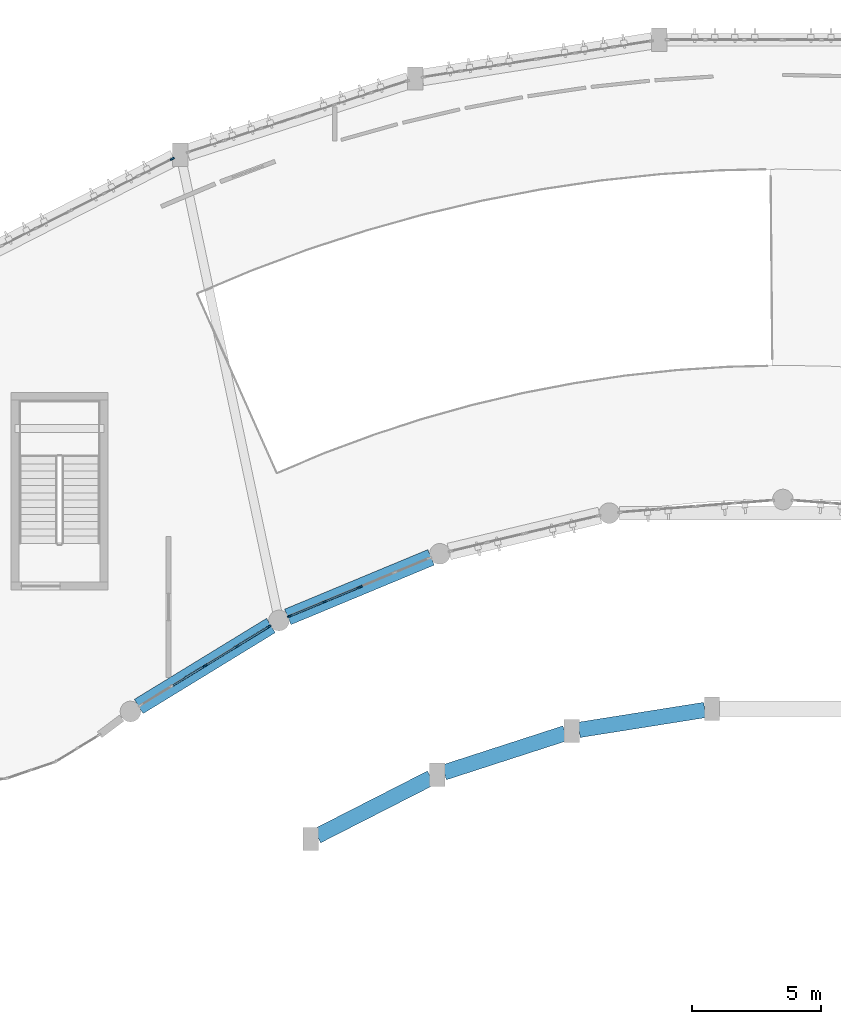
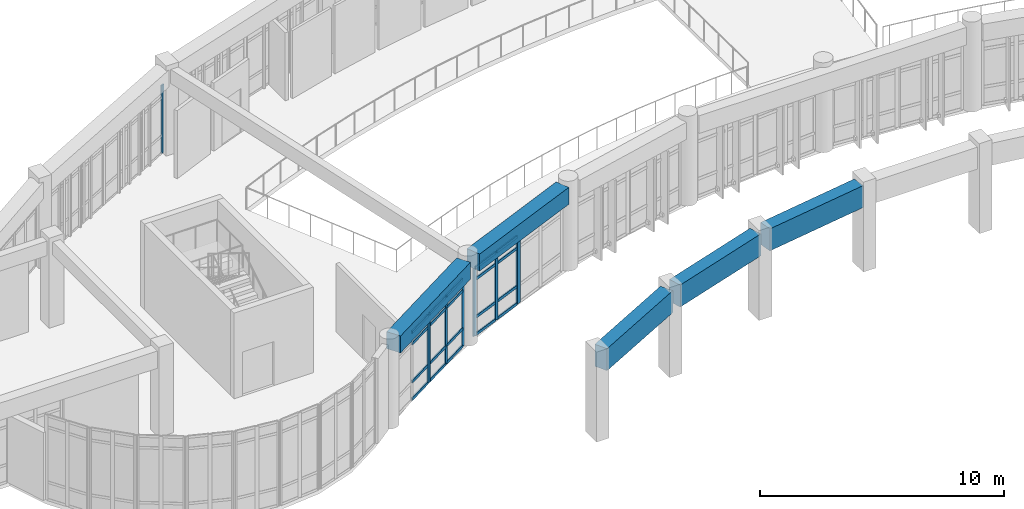
# One storey, part 12 of 57: 29 members, 5 beams, 5 elements without a shape of their own.
"""IFC4 building model written with IfcOpenShell, lengths in metres."""

from ifc_helpers import new_model, si_unit, direction, frame, origin, origin_2d, place, context, subcontext, project, spatial, rectangle, extrude, material, layer, layer_set, material_profile, profile_set, type_object, element, aggregate, save


model = new_model("IFC4")

# Units and contexts
model_context = context("Model", 3, precision=1e-05, world=origin(), true_north=direction((0.0, 1.0)))
body_context = subcontext(model_context, "Body", "Model", "MODEL_VIEW")
ifc_project = project(units=[si_unit("LENGTHUNIT", "METRE"), si_unit("AREAUNIT", "SQUARE_METRE"), si_unit("VOLUMEUNIT", "CUBIC_METRE"), si_unit("PLANEANGLEUNIT", "RADIAN"), si_unit("MASSUNIT", "GRAM", prefix="KILO")], contexts=[model_context])

# Site, building, storey
site_placement = place(None, origin())
site = spatial("IfcSite", under=ifc_project, at=site_placement, CompositionType="ELEMENT")
building_placement = place(site_placement, origin())
building = spatial("IfcBuilding", under=site, at=building_placement, Name="Miralva Faculty of Natural Sciences", CompositionType="ELEMENT")
storey_placement = place(building_placement, frame((0.0, 0.0, 15.0)))
storey = spatial("IfcBuildingStorey", under=building, at=storey_placement, Name="L03", CompositionType="ELEMENT", Elevation=15.0)

# Beams
ifc_material_1 = material(Name="Concrete C40/50", Category="concrete")
ifc_material_profile_1 = material_profile(ifc_material_1, rectangle(XDim=0.64990234375, YDim=0.85009765625, at=origin_2d()), Name="RC 650x850")
ifc_profile_set_1 = profile_set([ifc_material_profile_1], Name="Concrete C40/50")
beam_type_1 = type_object("IfcBeamType", Name="BM-SP03", PredefinedType="SPANDREL", material=ifc_profile_set_1)
beam_1_placement = place(storey_placement, frame((76.3701171875, 19.7587890625, 3.8349609375), z_axis=(-0.923386658192, -0.383871175621, 0.0), x_axis=(0.383871175621, -0.923386658192, 0.0)))
element("IfcBeam", 1, at=beam_1_placement, inside=storey, type_object=beam_type_1, Name="Curved chord girder ARCIN L03-7", PredefinedType="SPANDREL", context=body_context, shape_type="SweptSolid", body=[
    extrude(rectangle(XDim=0.64990234375, YDim=0.85009765625, at=origin_2d()), origin(), (0.0, 0.0, 1.0), 6.0107421875),
])
beam_2_placement = place(storey_placement, frame((70.166015625, 17.117919921875, 3.8349609375), z_axis=(-0.85286755932, -0.52212730848, 0.0), x_axis=(0.52212730848, -0.85286755932, 0.0)))
element("IfcBeam", 2, at=beam_2_placement, inside=storey, type_object=beam_type_1, Name="Curved chord girder ARCIN L03-8", PredefinedType="SPANDREL", context=body_context, shape_type="SweptSolid", body=[
    extrude(rectangle(XDim=0.64990234375, YDim=0.85009765625, at=origin_2d()), origin(), (0.0, 0.0, 1.0), 6.005615234375),
])
ifc_material_profile_2 = material_profile(ifc_material_1, rectangle(XDim=0.60009765625, YDim=1.10009765625, at=origin_2d()), Name="RC 600x1100")
ifc_profile_set_2 = profile_set([ifc_material_profile_2], Name="Concrete C40/50")
beam_type_2 = type_object("IfcBeamType", Name="BM-TG01", PredefinedType="BEAM", material=ifc_profile_set_2)
beam_3_placement = place(storey_placement, frame((86.977294921875, 13.8466796875, 3.699951171875), z_axis=(-0.987645980672, -0.156701681112, 0.0), x_axis=(0.156701681112, -0.987645980672, 0.0)))
element("IfcBeam", 3, at=beam_3_placement, inside=storey, type_object=beam_type_2, Name="Curved chord girder SHIN L03-5", PredefinedType="BEAM", context=body_context, shape_type="SweptSolid", body=[
    extrude(rectangle(XDim=0.60009765625, YDim=1.10009765625, at=origin_2d()), origin(), (0.0, 0.0, 1.0), 4.935791015625),
])
beam_4_placement = place(storey_placement, frame((81.5673828125, 12.945068359375, 3.699951171875), z_axis=(-0.951378867788, -0.308023132129, 0.0), x_axis=(0.308023132129, -0.951378867788, 0.0)))
element("IfcBeam", 4, at=beam_4_placement, inside=storey, type_object=beam_type_2, Name="Curved chord girder SHIN L03-6", PredefinedType="BEAM", context=body_context, shape_type="SweptSolid", body=[
    extrude(rectangle(XDim=0.60009765625, YDim=1.10009765625, at=origin_2d()), origin(), (0.0, 0.0, 1.0), 4.934814453125),
])
beam_5_placement = place(storey_placement, frame((76.364013671875, 11.214599609375, 3.699951171875), z_axis=(-0.890746789072, -0.454499898523, 0.0), x_axis=(0.454499898523, -0.890746789072, 0.0)))
element("IfcBeam", 5, at=beam_5_placement, inside=storey, type_object=beam_type_2, Name="Curved chord girder SHIN L03-7", PredefinedType="BEAM", context=body_context, shape_type="SweptSolid", body=[
    extrude(rectangle(XDim=0.60009765625, YDim=1.10009765625, at=origin_2d()), origin(), (0.0, 0.0, 1.0), 4.948974609375),
])

# Curtain wall, member
ifc_material_2 = material(Name="Laminated solar-control glass", Category="glass")
ifc_layer = layer(ifc_material_2, 0.179931640625, Name="CW-ARC-L03")
ifc_layer_set = layer_set([ifc_layer], Name="Laminated solar-control glass")
curtain_wall_type = type_object("IfcCurtainWallType", Name="CW-ARC-L03", PredefinedType="USERDEFINED", material=ifc_layer_set)
curtain_wall_1_placement = place(storey_placement, origin())
curtain_wall_1 = element("IfcCurtainWall", 6, at=curtain_wall_1_placement, inside=storey, type_object=curtain_wall_type, Name="Curtain wall CW-03 L03-109", ObjectType="UNITISED CURTAIN WALL", PredefinedType="USERDEFINED")
ifc_material_3 = material(Name="Anodised aluminium", Category="aluminium")
ifc_material_profile_3 = material_profile(ifc_material_3, rectangle(XDim=0.06494140625, YDim=0.179931640625, at=origin_2d()), Name="MULLION 65x180")
ifc_profile_set_3 = profile_set([ifc_material_profile_3], Name="Anodised aluminium")
member_type_1 = type_object("IfcMemberType", Name="CW-M01", PredefinedType="MULLION", material=ifc_profile_set_3)
member_1_placement = place(storey_placement, frame((67.573974609375, 15.533447265625, 0.0), z_axis=(0.0, 0.0, 1.0), x_axis=(-0.522497642249, 0.852640729642, 0.0)))
member_1 = element("IfcMember", 7, at=member_1_placement, type_object=member_type_1, Name="CW-03 mullion 3", PredefinedType="MULLION", context=body_context, shape_type="SweptSolid", body=[
    extrude(rectangle(XDim=0.06494140625, YDim=0.179931640625, at=origin_2d()), origin(), (0.0, 0.0, 1.0), 3.405029296875),
])

# Curtain wall, members
curtain_wall_2_placement = place(storey_placement, origin())
curtain_wall_2 = element("IfcCurtainWall", 8, at=curtain_wall_2_placement, inside=storey, type_object=curtain_wall_type, Name="Curtain wall CW-03 L03-110", ObjectType="UNITISED CURTAIN WALL", PredefinedType="USERDEFINED")
member_2_placement = place(storey_placement, frame((67.625244140625, 15.56494140625, 0.0), z_axis=(0.0, 0.0, 1.0), x_axis=(-0.522473936561, 0.852655256018, 0.0)))
member_2 = element("IfcMember", 9, at=member_2_placement, type_object=member_type_1, Name="CW-03 mullion 1", PredefinedType="MULLION", context=body_context, shape_type="SweptSolid", body=[
    extrude(rectangle(XDim=0.06494140625, YDim=0.179931640625, at=origin_2d()), origin(), (0.0, 0.0, 1.0), 3.405029296875),
])
member_3_placement = place(storey_placement, frame((68.856689453125, 16.319580078125, 0.0), z_axis=(0.0, 0.0, 1.0), x_axis=(-0.522473936561, 0.852655256018, 0.0)))
member_3 = element("IfcMember", 10, at=member_3_placement, type_object=member_type_1, Name="CW-03 mullion 2", PredefinedType="MULLION", context=body_context, shape_type="SweptSolid", body=[
    extrude(rectangle(XDim=0.06494140625, YDim=0.179931640625, at=origin_2d()), origin(), (0.0, 0.0, 1.0), 3.405029296875),
])
member_4_placement = place(storey_placement, frame((70.08837890625, 17.07421875, 0.0), z_axis=(0.0, 0.0, 1.0), x_axis=(-0.522473936561, 0.852655256018, 0.0)))
member_4 = element("IfcMember", 11, at=member_4_placement, type_object=member_type_1, Name="CW-03 mullion 3", PredefinedType="MULLION", context=body_context, shape_type="SweptSolid", body=[
    extrude(rectangle(XDim=0.06494140625, YDim=0.179931640625, at=origin_2d()), origin(), (0.0, 0.0, 1.0), 3.405029296875),
])

curtain_wall_3_placement = place(storey_placement, origin())
curtain_wall_3 = element("IfcCurtainWall", 12, at=curtain_wall_3_placement, inside=storey, type_object=curtain_wall_type, Name="Curtain wall CW-03 L03-111", ObjectType="UNITISED CURTAIN WALL", PredefinedType="USERDEFINED")
member_5_placement = place(storey_placement, frame((70.891845703125, 17.484619140625, 0.0), z_axis=(0.0, 0.0, 1.0), x_axis=(-0.382697056713, 0.923873889004, 0.0)))
member_5 = element("IfcMember", 13, at=member_5_placement, type_object=member_type_1, Name="CW-03 mullion 1", PredefinedType="MULLION", context=body_context, shape_type="SweptSolid", body=[
    extrude(rectangle(XDim=0.06494140625, YDim=0.179931640625, at=origin_2d()), origin(), (0.0, 0.0, 1.0), 3.405029296875),
])
member_6_placement = place(storey_placement, frame((72.228515625, 18.038330078125, 0.0), z_axis=(0.0, 0.0, 1.0), x_axis=(-0.382697056713, 0.923873889004, 0.0)))
member_6 = element("IfcMember", 14, at=member_6_placement, type_object=member_type_1, Name="CW-03 mullion 2", PredefinedType="MULLION", context=body_context, shape_type="SweptSolid", body=[
    extrude(rectangle(XDim=0.06494140625, YDim=0.179931640625, at=origin_2d()), origin(), (0.0, 0.0, 1.0), 3.405029296875),
])
member_7_placement = place(storey_placement, frame((73.565185546875, 18.592041015625, 0.0), z_axis=(0.0, 0.0, 1.0), x_axis=(-0.382697056713, 0.923873889004, 0.0)))
member_7 = element("IfcMember", 15, at=member_7_placement, type_object=member_type_1, Name="CW-03 mullion 3", PredefinedType="MULLION", context=body_context, shape_type="SweptSolid", body=[
    extrude(rectangle(XDim=0.06494140625, YDim=0.179931640625, at=origin_2d()), origin(), (0.0, 0.0, 1.0), 3.405029296875),
])

# Curtain wall, member
curtain_wall_4_placement = place(storey_placement, origin())
curtain_wall_4 = element("IfcCurtainWall", 16, at=curtain_wall_4_placement, inside=storey, type_object=curtain_wall_type, Name="Curtain wall CW-03 L03-112", ObjectType="UNITISED CURTAIN WALL", PredefinedType="USERDEFINED")
member_8_placement = place(storey_placement, frame((73.62060546875, 18.614990234375, 0.0), z_axis=(0.0, 0.0, 1.0), x_axis=(-0.382654754557, 0.923891410727, 0.0)))
member_8 = element("IfcMember", 17, at=member_8_placement, type_object=member_type_1, Name="CW-03 mullion 1", PredefinedType="MULLION", context=body_context, shape_type="SweptSolid", body=[
    extrude(rectangle(XDim=0.06494140625, YDim=0.179931640625, at=origin_2d()), origin(), (0.0, 0.0, 1.0), 3.405029296875),
])
aggregate(curtain_wall_4, [member_8])

curtain_wall_5_placement = place(storey_placement, origin())
curtain_wall_5 = element("IfcCurtainWall", 18, at=curtain_wall_5_placement, inside=storey, type_object=curtain_wall_type, Name="Curtain wall CW-03 L03-128", ObjectType="UNITISED CURTAIN WALL", PredefinedType="USERDEFINED")
ifc_material_profile_4 = material_profile(ifc_material_3, rectangle(XDim=0.06494140625, YDim=0.159912109375, at=origin_2d()), Name="MULLION 65x160")
ifc_profile_set_4 = profile_set([ifc_material_profile_4], Name="Anodised aluminium")
member_type_2 = type_object("IfcMemberType", Name="CW-M02", PredefinedType="MULLION", material=ifc_profile_set_4)
member_9_placement = place(storey_placement, frame((66.3466796875, 35.19873046875, 0.0), z_axis=(0.0, 0.0, 1.0), x_axis=(-0.453974643591, 0.891014603122, 0.0)))
member_9 = element("IfcMember", 19, at=member_9_placement, type_object=member_type_2, Name="CW-03 mullion 4", PredefinedType="MULLION", context=body_context, shape_type="SweptSolid", body=[
    extrude(rectangle(XDim=0.06494140625, YDim=0.159912109375, at=origin_2d()), origin(), (0.0, 0.0, 1.0), 3.405029296875),
])
aggregate(curtain_wall_5, [member_9])

# Member
ifc_material_profile_5 = material_profile(ifc_material_3, rectangle(XDim=0.06494140625, YDim=0.139892578125, at=origin_2d()), Name="TRANSOM 65x140")
ifc_profile_set_5 = profile_set([ifc_material_profile_5], Name="Anodised aluminium")
member_type_3 = type_object("IfcMemberType", Name="CW-T01", PredefinedType="USERDEFINED", material=ifc_profile_set_5)
member_10_placement = place(storey_placement, frame((66.372314453125, 14.797119140625, 0.032470703125), z_axis=(0.852636925059, 0.522503850728, 0.0), x_axis=(-0.522503850728, 0.852636925059, 0.0)))
member_10 = element("IfcMember", 20, at=member_10_placement, type_object=member_type_3, Name="CW-03 transom 2.1", ObjectType="TRANSOM", PredefinedType="USERDEFINED", context=body_context, shape_type="SweptSolid", body=[
    extrude(rectangle(XDim=0.06494140625, YDim=0.139892578125, at=origin_2d()), origin(), (0.0, 0.0, 1.0), 1.376953125),
])

member_11_placement = place(storey_placement, frame((66.372314453125, 14.797119140625, 0.89990234375), z_axis=(0.852636925059, 0.522503850728, 0.0), x_axis=(-0.522503850728, 0.852636925059, 0.0)))
member_11 = element("IfcMember", 21, at=member_11_placement, type_object=member_type_3, Name="CW-03 transom 2.2", ObjectType="TRANSOM", PredefinedType="USERDEFINED", context=body_context, shape_type="SweptSolid", body=[
    extrude(rectangle(XDim=0.06494140625, YDim=0.139892578125, at=origin_2d()), origin(), (0.0, 0.0, 1.0), 1.376953125),
])

member_12_placement = place(storey_placement, frame((66.372314453125, 14.797119140625, 2.804931640625), z_axis=(0.852636925059, 0.522503850728, 0.0), x_axis=(-0.522503850728, 0.852636925059, 0.0)))
member_12 = element("IfcMember", 22, at=member_12_placement, type_object=member_type_3, Name="CW-03 transom 2.3", ObjectType="TRANSOM", PredefinedType="USERDEFINED", context=body_context, shape_type="SweptSolid", body=[
    extrude(rectangle(XDim=0.06494140625, YDim=0.139892578125, at=origin_2d()), origin(), (0.0, 0.0, 1.0), 1.376953125),
])

member_13_placement = place(storey_placement, frame((66.372314453125, 14.797119140625, 3.37255859375), z_axis=(0.852636925059, 0.522503850728, 0.0), x_axis=(-0.522503850728, 0.852636925059, 0.0)))
member_13 = element("IfcMember", 23, at=member_13_placement, type_object=member_type_3, Name="CW-03 transom 2.4", ObjectType="TRANSOM", PredefinedType="USERDEFINED", context=body_context, shape_type="SweptSolid", body=[
    extrude(rectangle(XDim=0.06494140625, YDim=0.139892578125, at=origin_2d()), origin(), (0.0, 0.0, 1.0), 1.376953125),
])

aggregate(curtain_wall_1, [member_1, member_10, member_11, member_12, member_13])

member_14_placement = place(storey_placement, frame((67.65283203125, 15.581787109375, 0.032470703125), z_axis=(0.852677549803, 0.522437552308, 0.0), x_axis=(-0.522437552308, 0.852677549803, 0.0)))
member_14 = element("IfcMember", 24, at=member_14_placement, type_object=member_type_3, Name="CW-03 transom 1.1", ObjectType="TRANSOM", PredefinedType="USERDEFINED", context=body_context, shape_type="SweptSolid", body=[
    extrude(rectangle(XDim=0.06494140625, YDim=0.139892578125, at=origin_2d()), origin(), (0.0, 0.0, 1.0), 1.37939453125),
])

member_15_placement = place(storey_placement, frame((67.65283203125, 15.581787109375, 0.89990234375), z_axis=(0.852677549803, 0.522437552308, 0.0), x_axis=(-0.522437552308, 0.852677549803, 0.0)))
member_15 = element("IfcMember", 25, at=member_15_placement, type_object=member_type_3, Name="CW-03 transom 1.2", ObjectType="TRANSOM", PredefinedType="USERDEFINED", context=body_context, shape_type="SweptSolid", body=[
    extrude(rectangle(XDim=0.06494140625, YDim=0.139892578125, at=origin_2d()), origin(), (0.0, 0.0, 1.0), 1.37939453125),
])

member_16_placement = place(storey_placement, frame((67.65283203125, 15.581787109375, 2.804931640625), z_axis=(0.852677549803, 0.522437552308, 0.0), x_axis=(-0.522437552308, 0.852677549803, 0.0)))
member_16 = element("IfcMember", 26, at=member_16_placement, type_object=member_type_3, Name="CW-03 transom 1.3", ObjectType="TRANSOM", PredefinedType="USERDEFINED", context=body_context, shape_type="SweptSolid", body=[
    extrude(rectangle(XDim=0.06494140625, YDim=0.139892578125, at=origin_2d()), origin(), (0.0, 0.0, 1.0), 1.37939453125),
])

member_17_placement = place(storey_placement, frame((67.65283203125, 15.581787109375, 3.37255859375), z_axis=(0.852677549803, 0.522437552308, 0.0), x_axis=(-0.522437552308, 0.852677549803, 0.0)))
member_17 = element("IfcMember", 27, at=member_17_placement, type_object=member_type_3, Name="CW-03 transom 1.4", ObjectType="TRANSOM", PredefinedType="USERDEFINED", context=body_context, shape_type="SweptSolid", body=[
    extrude(rectangle(XDim=0.06494140625, YDim=0.139892578125, at=origin_2d()), origin(), (0.0, 0.0, 1.0), 1.37939453125),
])

member_18_placement = place(storey_placement, frame((68.884521484375, 16.33642578125, 0.032470703125), z_axis=(0.852677549803, 0.522437552308, 0.0), x_axis=(-0.522437552308, 0.852677549803, 0.0)))
member_18 = element("IfcMember", 28, at=member_18_placement, type_object=member_type_3, Name="CW-03 transom 2.1", ObjectType="TRANSOM", PredefinedType="USERDEFINED", context=body_context, shape_type="SweptSolid", body=[
    extrude(rectangle(XDim=0.06494140625, YDim=0.139892578125, at=origin_2d()), origin(), (0.0, 0.0, 1.0), 1.37939453125),
])

member_19_placement = place(storey_placement, frame((68.884521484375, 16.33642578125, 0.89990234375), z_axis=(0.852677549803, 0.522437552308, 0.0), x_axis=(-0.522437552308, 0.852677549803, 0.0)))
member_19 = element("IfcMember", 29, at=member_19_placement, type_object=member_type_3, Name="CW-03 transom 2.2", ObjectType="TRANSOM", PredefinedType="USERDEFINED", context=body_context, shape_type="SweptSolid", body=[
    extrude(rectangle(XDim=0.06494140625, YDim=0.139892578125, at=origin_2d()), origin(), (0.0, 0.0, 1.0), 1.37939453125),
])

member_20_placement = place(storey_placement, frame((68.884521484375, 16.33642578125, 2.804931640625), z_axis=(0.852677549803, 0.522437552308, 0.0), x_axis=(-0.522437552308, 0.852677549803, 0.0)))
member_20 = element("IfcMember", 30, at=member_20_placement, type_object=member_type_3, Name="CW-03 transom 2.3", ObjectType="TRANSOM", PredefinedType="USERDEFINED", context=body_context, shape_type="SweptSolid", body=[
    extrude(rectangle(XDim=0.06494140625, YDim=0.139892578125, at=origin_2d()), origin(), (0.0, 0.0, 1.0), 1.37939453125),
])

member_21_placement = place(storey_placement, frame((68.884521484375, 16.33642578125, 3.37255859375), z_axis=(0.852677549803, 0.522437552308, 0.0), x_axis=(-0.522437552308, 0.852677549803, 0.0)))
member_21 = element("IfcMember", 31, at=member_21_placement, type_object=member_type_3, Name="CW-03 transom 2.4", ObjectType="TRANSOM", PredefinedType="USERDEFINED", context=body_context, shape_type="SweptSolid", body=[
    extrude(rectangle(XDim=0.06494140625, YDim=0.139892578125, at=origin_2d()), origin(), (0.0, 0.0, 1.0), 1.37939453125),
])

aggregate(curtain_wall_2, [member_2, member_3, member_4, member_14, member_15, member_16, member_17, member_18, member_19, member_20, member_21])

member_22_placement = place(storey_placement, frame((70.921875, 17.4970703125, 0.032470703125), z_axis=(0.923874704855, 0.382695087151, 0.0), x_axis=(-0.382695087151, 0.923874704855, 0.0)))
member_22 = element("IfcMember", 32, at=member_22_placement, type_object=member_type_3, Name="CW-03 transom 1.1", ObjectType="TRANSOM", PredefinedType="USERDEFINED", context=body_context, shape_type="SweptSolid", body=[
    extrude(rectangle(XDim=0.06494140625, YDim=0.139892578125, at=origin_2d()), origin(), (0.0, 0.0, 1.0), 1.3818359375),
])

member_23_placement = place(storey_placement, frame((70.921875, 17.4970703125, 0.89990234375), z_axis=(0.923874704855, 0.382695087151, 0.0), x_axis=(-0.382695087151, 0.923874704855, 0.0)))
member_23 = element("IfcMember", 33, at=member_23_placement, type_object=member_type_3, Name="CW-03 transom 1.2", ObjectType="TRANSOM", PredefinedType="USERDEFINED", context=body_context, shape_type="SweptSolid", body=[
    extrude(rectangle(XDim=0.06494140625, YDim=0.139892578125, at=origin_2d()), origin(), (0.0, 0.0, 1.0), 1.3818359375),
])

member_24_placement = place(storey_placement, frame((70.921875, 17.4970703125, 2.804931640625), z_axis=(0.923874704855, 0.382695087151, 0.0), x_axis=(-0.382695087151, 0.923874704855, 0.0)))
member_24 = element("IfcMember", 34, at=member_24_placement, type_object=member_type_3, Name="CW-03 transom 1.3", ObjectType="TRANSOM", PredefinedType="USERDEFINED", context=body_context, shape_type="SweptSolid", body=[
    extrude(rectangle(XDim=0.06494140625, YDim=0.139892578125, at=origin_2d()), origin(), (0.0, 0.0, 1.0), 1.3818359375),
])

member_25_placement = place(storey_placement, frame((70.921875, 17.4970703125, 3.37255859375), z_axis=(0.923874704855, 0.382695087151, 0.0), x_axis=(-0.382695087151, 0.923874704855, 0.0)))
member_25 = element("IfcMember", 35, at=member_25_placement, type_object=member_type_3, Name="CW-03 transom 1.4", ObjectType="TRANSOM", PredefinedType="USERDEFINED", context=body_context, shape_type="SweptSolid", body=[
    extrude(rectangle(XDim=0.06494140625, YDim=0.139892578125, at=origin_2d()), origin(), (0.0, 0.0, 1.0), 1.3818359375),
])

member_26_placement = place(storey_placement, frame((72.258544921875, 18.05078125, 0.032470703125), z_axis=(0.923874704855, 0.382695087151, 0.0), x_axis=(-0.382695087151, 0.923874704855, 0.0)))
member_26 = element("IfcMember", 36, at=member_26_placement, type_object=member_type_3, Name="CW-03 transom 2.1", ObjectType="TRANSOM", PredefinedType="USERDEFINED", context=body_context, shape_type="SweptSolid", body=[
    extrude(rectangle(XDim=0.06494140625, YDim=0.139892578125, at=origin_2d()), origin(), (0.0, 0.0, 1.0), 1.3818359375),
])

member_27_placement = place(storey_placement, frame((72.258544921875, 18.05078125, 0.89990234375), z_axis=(0.923874704855, 0.382695087151, 0.0), x_axis=(-0.382695087151, 0.923874704855, 0.0)))
member_27 = element("IfcMember", 37, at=member_27_placement, type_object=member_type_3, Name="CW-03 transom 2.2", ObjectType="TRANSOM", PredefinedType="USERDEFINED", context=body_context, shape_type="SweptSolid", body=[
    extrude(rectangle(XDim=0.06494140625, YDim=0.139892578125, at=origin_2d()), origin(), (0.0, 0.0, 1.0), 1.3818359375),
])

member_28_placement = place(storey_placement, frame((72.258544921875, 18.05078125, 2.804931640625), z_axis=(0.923874704855, 0.382695087151, 0.0), x_axis=(-0.382695087151, 0.923874704855, 0.0)))
member_28 = element("IfcMember", 38, at=member_28_placement, type_object=member_type_3, Name="CW-03 transom 2.3", ObjectType="TRANSOM", PredefinedType="USERDEFINED", context=body_context, shape_type="SweptSolid", body=[
    extrude(rectangle(XDim=0.06494140625, YDim=0.139892578125, at=origin_2d()), origin(), (0.0, 0.0, 1.0), 1.3818359375),
])

member_29_placement = place(storey_placement, frame((72.258544921875, 18.05078125, 3.37255859375), z_axis=(0.923874704855, 0.382695087151, 0.0), x_axis=(-0.382695087151, 0.923874704855, 0.0)))
member_29 = element("IfcMember", 39, at=member_29_placement, type_object=member_type_3, Name="CW-03 transom 2.4", ObjectType="TRANSOM", PredefinedType="USERDEFINED", context=body_context, shape_type="SweptSolid", body=[
    extrude(rectangle(XDim=0.06494140625, YDim=0.139892578125, at=origin_2d()), origin(), (0.0, 0.0, 1.0), 1.3818359375),
])

aggregate(curtain_wall_3, [member_5, member_6, member_7, member_22, member_23, member_24, member_25, member_26, member_27, member_28, member_29])

save(model, "model.ifc")
